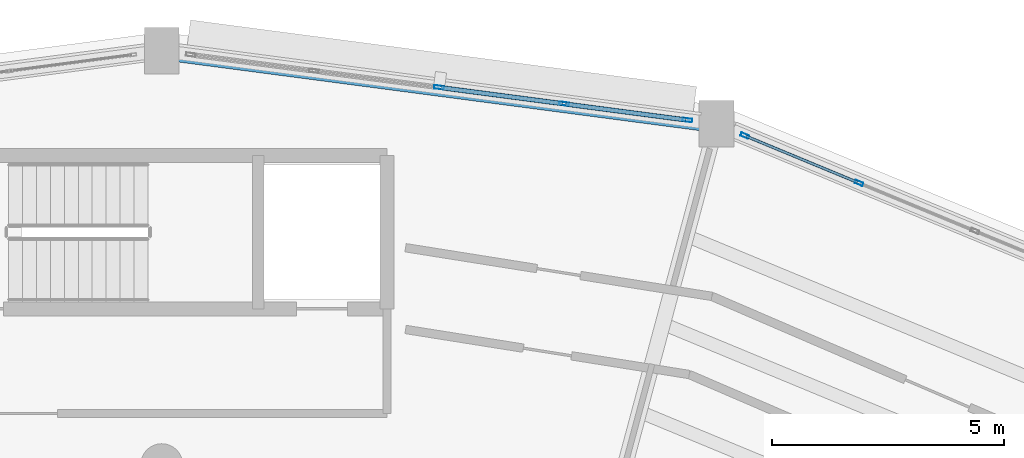
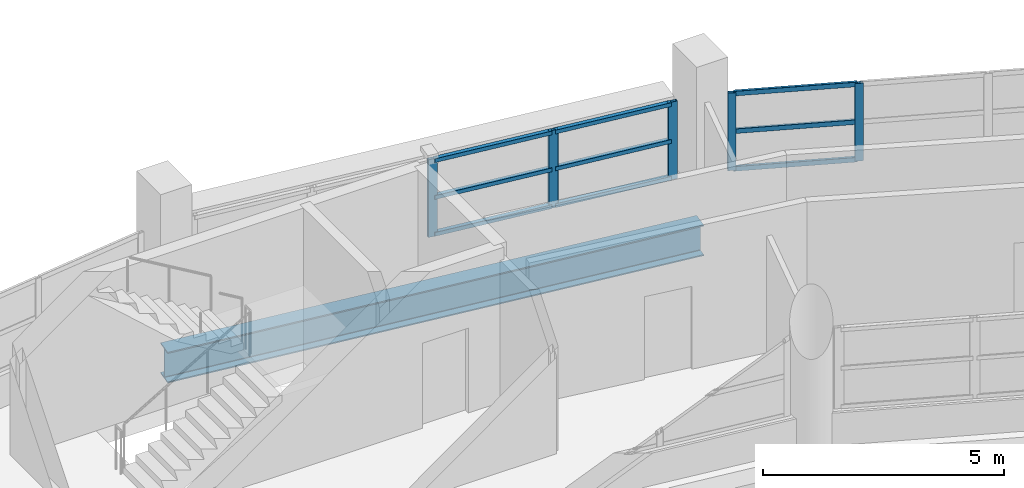
# One storey, part 79 of 108: 14 members, 1 beam, 2 elements without a shape of their own.
"""IFC4 building model written with IfcOpenShell, lengths in metres."""

from ifc_helpers import new_model, si_unit, direction, frame, origin, origin_2d, place, context, subcontext, project, spatial, hollow_rectangle, i_section, extrude, material, layer, layer_set, material_profile, profile_set, type_object, element, aggregate, save


model = new_model("IFC4")

# Units and contexts
model_context = context("Model", 3, precision=1e-05, world=origin(), true_north=direction((0.0, 1.0)))
body_context = subcontext(model_context, "Body", "Model", "MODEL_VIEW")
ifc_project = project(units=[si_unit("LENGTHUNIT", "METRE"), si_unit("AREAUNIT", "SQUARE_METRE"), si_unit("VOLUMEUNIT", "CUBIC_METRE"), si_unit("PLANEANGLEUNIT", "RADIAN"), si_unit("MASSUNIT", "GRAM", prefix="KILO")], contexts=[model_context])

# Site, building, storey
site_placement = place(None, origin())
site = spatial("IfcSite", under=ifc_project, at=site_placement, CompositionType="ELEMENT")
building_placement = place(site_placement, origin())
building = spatial("IfcBuilding", under=site, at=building_placement, Name="Vespera Passage Community Centre", CompositionType="ELEMENT")
storey_placement = place(building_placement, frame((0.0, 0.0, 12.60009765625)))
storey = spatial("IfcBuildingStorey", under=building, at=storey_placement, Name="L03", CompositionType="ELEMENT", Elevation=12.60009765625)

# Beam
ifc_material_1 = material(Name="Steel ASTM A992 Grade 50", Category="steel")
ifc_material_profile_1 = material_profile(ifc_material_1, i_section(OverallWidth=0.382080078125, OverallDepth=0.779296875, WebThickness=0.01806640625, FlangeThickness=0.030029296875, FilletRadius=0.0166015625, at=origin_2d()), Name="W30X191")
ifc_profile_set_1 = profile_set([ifc_material_profile_1], Name="Steel ASTM A992 Grade 50")
beam_type = type_object("IfcBeamType", Name="BM-SP-W30X191E", PredefinedType="SPANDREL", material=ifc_profile_set_1)
beam_placement = place(storey_placement, frame((89.931640625, 110.029296875, -0.789794921875), z_axis=(-0.991445178667, 0.130523782115, 0.0), x_axis=(-0.130523782115, -0.991445178667, 0.0)))
element("IfcBeam", 1, at=beam_placement, inside=storey, type_object=beam_type, Name="V4 L03 Outer Spandrel 5", PredefinedType="SPANDREL", context=body_context, shape_type="SweptSolid", body=[
    extrude(i_section(OverallWidth=0.382080078125, OverallDepth=0.779296875, WebThickness=0.01806640625, FlangeThickness=0.030029296875, FilletRadius=0.0166015625, at=origin_2d()), origin(), (0.0, 0.0, 1.0), 12.03466796875),
])

# Curtain wall, members
ifc_material_2 = material(Name="Anodized aluminium 6063-T6", Category="aluminium")
ifc_layer_1 = layer(ifc_material_2, 0.159912109375)
ifc_layer_set_1 = layer_set([ifc_layer_1], Name="Anodized aluminium 6063-T6")
curtain_wall_type_1 = type_object("IfcCurtainWallType", Name="CW-39E", PredefinedType="NOTDEFINED", material=ifc_layer_set_1)
curtain_wall_1_placement = place(storey_placement, origin())
curtain_wall_1 = element("IfcCurtainWall", 2, at=curtain_wall_1_placement, inside=storey, type_object=curtain_wall_type_1, Name="V4 L03 Outer Ribbon Curtain Wall 4", PredefinedType="NOTDEFINED")
ifc_material_3 = material(Name="Anodized aluminium 6063-T6", Category="aluminium")
ifc_material_profile_2 = material_profile(ifc_material_3, hollow_rectangle(XDim=0.074951171875, YDim=0.179931640625, WallThickness=0.0048828125, InnerFilletRadius=0.00244140625, OuterFilletRadius=0.0048828125, at=origin_2d()), Name="ALU180X75X5")
ifc_profile_set_2 = profile_set([ifc_material_profile_2], Name="Anodized aluminium 6063-T6")
member_type_1 = type_object("IfcMemberType", Name="MB-CWM-180E", PredefinedType="MULLION", material=ifc_profile_set_2)
member_1_placement = place(storey_placement, frame((90.539794921875, 109.77734375, 0.81982421875), z_axis=(0.0, 0.0, 1.0), x_axis=(0.382682936255, 0.923879738007, 0.0)))
member_1 = element("IfcMember", 3, at=member_1_placement, type_object=member_type_1, Name="CW-39E mullion 1", PredefinedType="MULLION", context=body_context, shape_type="SweptSolid", body=[
    extrude(hollow_rectangle(XDim=0.074951171875, YDim=0.179931640625, WallThickness=0.0048828125, InnerFilletRadius=0.00244140625, OuterFilletRadius=0.0048828125, at=origin_2d()), origin(), (0.0, 0.0, 1.0), 1.965576171875),
])
member_2_placement = place(storey_placement, frame((92.998046875, 108.759033203125, 0.81982421875), z_axis=(0.0, 0.0, 1.0), x_axis=(0.382682936255, 0.923879738007, 0.0)))
member_2 = element("IfcMember", 4, at=member_2_placement, type_object=member_type_1, Name="CW-39E mullion 2", PredefinedType="MULLION", context=body_context, shape_type="SweptSolid", body=[
    extrude(hollow_rectangle(XDim=0.074951171875, YDim=0.179931640625, WallThickness=0.0048828125, InnerFilletRadius=0.00244140625, OuterFilletRadius=0.0048828125, at=origin_2d()), origin(), (0.0, 0.0, 1.0), 1.965576171875),
])

ifc_material_4 = material(Name="Anodized aluminium 6063-T6", Category="aluminium")
ifc_layer_2 = layer(ifc_material_4, 0.159912109375)
ifc_layer_set_2 = layer_set([ifc_layer_2], Name="Anodized aluminium 6063-T6")
curtain_wall_type_2 = type_object("IfcCurtainWallType", Name="CW-41E", PredefinedType="NOTDEFINED", material=ifc_layer_set_2)
curtain_wall_2_placement = place(storey_placement, origin())
curtain_wall_2 = element("IfcCurtainWall", 5, at=curtain_wall_2_placement, inside=storey, type_object=curtain_wall_type_2, Name="V4 L03 Outer Ribbon Curtain Wall 5", PredefinedType="NOTDEFINED")
ifc_material_5 = material(Name="Anodized aluminium 6063-T6", Category="aluminium")
ifc_material_profile_3 = material_profile(ifc_material_5, hollow_rectangle(XDim=0.074951171875, YDim=0.2099609375, WallThickness=0.0048828125, InnerFilletRadius=0.00244140625, OuterFilletRadius=0.0048828125, at=origin_2d()), Name="ALU210X75X5")
ifc_profile_set_3 = profile_set([ifc_material_profile_3], Name="Anodized aluminium 6063-T6")
member_type_2 = type_object("IfcMemberType", Name="MB-CWM-210E", PredefinedType="MULLION", material=ifc_profile_set_3)
member_3_placement = place(storey_placement, frame((83.9658203125, 110.814697265625, 0.81982421875), z_axis=(0.0, 0.0, 1.0), x_axis=(0.130530818696, 0.991444252276, 0.0)))
member_3 = element("IfcMember", 6, at=member_3_placement, type_object=member_type_2, Name="CW-41E mullion 3", PredefinedType="MULLION", context=body_context, shape_type="SweptSolid", body=[
    extrude(hollow_rectangle(XDim=0.074951171875, YDim=0.2099609375, WallThickness=0.0048828125, InnerFilletRadius=0.00244140625, OuterFilletRadius=0.0048828125, at=origin_2d()), origin(), (0.0, 0.0, 1.0), 1.965576171875),
])
member_4_placement = place(storey_placement, frame((86.654541015625, 110.460693359375, 0.81982421875), z_axis=(0.0, 0.0, 1.0), x_axis=(0.130530818696, 0.991444252276, 0.0)))
member_4 = element("IfcMember", 7, at=member_4_placement, type_object=member_type_2, Name="CW-41E mullion 4", PredefinedType="MULLION", context=body_context, shape_type="SweptSolid", body=[
    extrude(hollow_rectangle(XDim=0.074951171875, YDim=0.2099609375, WallThickness=0.0048828125, InnerFilletRadius=0.00244140625, OuterFilletRadius=0.0048828125, at=origin_2d()), origin(), (0.0, 0.0, 1.0), 1.965576171875),
])
member_5_placement = place(storey_placement, frame((89.30615234375, 110.111572265625, 0.81982421875), z_axis=(0.0, 0.0, 1.0), x_axis=(0.130530818696, 0.991444252276, 0.0)))
member_5 = element("IfcMember", 8, at=member_5_placement, type_object=member_type_2, Name="CW-41E mullion 5", PredefinedType="MULLION", context=body_context, shape_type="SweptSolid", body=[
    extrude(hollow_rectangle(XDim=0.074951171875, YDim=0.2099609375, WallThickness=0.0048828125, InnerFilletRadius=0.00244140625, OuterFilletRadius=0.0048828125, at=origin_2d()), origin(), (0.0, 0.0, 1.0), 1.965576171875),
])
ifc_material_6 = material(Name="Anodized aluminium 6063-T6", Category="aluminium")
ifc_material_profile_4 = material_profile(ifc_material_6, hollow_rectangle(XDim=0.10009765625, YDim=0.10009765625, WallThickness=0.00390625, InnerFilletRadius=0.001953125, OuterFilletRadius=0.00390625, at=origin_2d()), Name="ALU100X100X4")
ifc_profile_set_4 = profile_set([ifc_material_profile_4], Name="Anodized aluminium 6063-T6")
member_type_3 = type_object("IfcMemberType", Name="MB-CWT-100E", PredefinedType="USERDEFINED", material=ifc_profile_set_4)
member_6_placement = place(storey_placement, frame((84.0029296875, 110.809814453125, 0.869873046875), z_axis=(0.991443263023, -0.130538332324, 0.0), x_axis=(0.130538332324, 0.991443263023, 0.0)))
member_6 = element("IfcMember", 9, at=member_6_placement, type_object=member_type_3, Name="CW-41E transom 3.1", ObjectType="TRANSOM", PredefinedType="USERDEFINED", context=body_context, shape_type="SweptSolid", body=[
    extrude(hollow_rectangle(XDim=0.10009765625, YDim=0.10009765625, WallThickness=0.00390625, InnerFilletRadius=0.001953125, OuterFilletRadius=0.00390625, at=origin_2d()), origin(), (0.0, 0.0, 1.0), 2.636962890625),
])
member_7_placement = place(storey_placement, frame((84.0029296875, 110.809814453125, 1.802734375), z_axis=(0.991443263023, -0.130538332324, 0.0), x_axis=(0.130538332324, 0.991443263023, 0.0)))
member_7 = element("IfcMember", 10, at=member_7_placement, type_object=member_type_3, Name="CW-41E transom 3.2", ObjectType="TRANSOM", PredefinedType="USERDEFINED", context=body_context, shape_type="SweptSolid", body=[
    extrude(hollow_rectangle(XDim=0.10009765625, YDim=0.10009765625, WallThickness=0.00390625, InnerFilletRadius=0.001953125, OuterFilletRadius=0.00390625, at=origin_2d()), origin(), (0.0, 0.0, 1.0), 2.636962890625),
])
member_8_placement = place(storey_placement, frame((84.0029296875, 110.809814453125, 2.735595703125), z_axis=(0.991443263023, -0.130538332324, 0.0), x_axis=(0.130538332324, 0.991443263023, 0.0)))
member_8 = element("IfcMember", 11, at=member_8_placement, type_object=member_type_3, Name="CW-41E transom 3.3", ObjectType="TRANSOM", PredefinedType="USERDEFINED", context=body_context, shape_type="SweptSolid", body=[
    extrude(hollow_rectangle(XDim=0.10009765625, YDim=0.10009765625, WallThickness=0.00390625, InnerFilletRadius=0.001953125, OuterFilletRadius=0.00390625, at=origin_2d()), origin(), (0.0, 0.0, 1.0), 2.636962890625),
])
member_9_placement = place(storey_placement, frame((86.69189453125, 110.455810546875, 0.869873046875), z_axis=(0.991441503566, -0.130551694767, 0.0), x_axis=(0.130551694767, 0.991441503566, 0.0)))
member_9 = element("IfcMember", 12, at=member_9_placement, type_object=member_type_3, Name="CW-41E transom 4.1", ObjectType="TRANSOM", PredefinedType="USERDEFINED", context=body_context, shape_type="SweptSolid", body=[
    extrude(hollow_rectangle(XDim=0.10009765625, YDim=0.10009765625, WallThickness=0.00390625, InnerFilletRadius=0.001953125, OuterFilletRadius=0.00390625, at=origin_2d()), origin(), (0.0, 0.0, 1.0), 2.599365234375),
])
member_10_placement = place(storey_placement, frame((86.69189453125, 110.455810546875, 1.802734375), z_axis=(0.991441503566, -0.130551694767, 0.0), x_axis=(0.130551694767, 0.991441503566, 0.0)))
member_10 = element("IfcMember", 13, at=member_10_placement, type_object=member_type_3, Name="CW-41E transom 4.2", ObjectType="TRANSOM", PredefinedType="USERDEFINED", context=body_context, shape_type="SweptSolid", body=[
    extrude(hollow_rectangle(XDim=0.10009765625, YDim=0.10009765625, WallThickness=0.00390625, InnerFilletRadius=0.001953125, OuterFilletRadius=0.00390625, at=origin_2d()), origin(), (0.0, 0.0, 1.0), 2.599365234375),
])
member_11_placement = place(storey_placement, frame((86.69189453125, 110.455810546875, 2.735595703125), z_axis=(0.991441503566, -0.130551694767, 0.0), x_axis=(0.130551694767, 0.991441503566, 0.0)))
member_11 = element("IfcMember", 14, at=member_11_placement, type_object=member_type_3, Name="CW-41E transom 4.3", ObjectType="TRANSOM", PredefinedType="USERDEFINED", context=body_context, shape_type="SweptSolid", body=[
    extrude(hollow_rectangle(XDim=0.10009765625, YDim=0.10009765625, WallThickness=0.00390625, InnerFilletRadius=0.001953125, OuterFilletRadius=0.00390625, at=origin_2d()), origin(), (0.0, 0.0, 1.0), 2.599365234375),
])
aggregate(curtain_wall_2, [member_3, member_4, member_5, member_6, member_7, member_8, member_9, member_10, member_11])

# Member
ifc_material_7 = material(Name="Anodized aluminium 6063-T6", Category="aluminium")
ifc_material_profile_5 = material_profile(ifc_material_7, hollow_rectangle(XDim=0.06005859375, YDim=0.1201171875, WallThickness=0.00390625, InnerFilletRadius=0.001953125, OuterFilletRadius=0.00390625, at=origin_2d()), Name="ALU120X60X4")
ifc_profile_set_5 = profile_set([ifc_material_profile_5], Name="Anodized aluminium 6063-T6")
member_type_4 = type_object("IfcMemberType", Name="MB-CWT-120E", PredefinedType="USERDEFINED", material=ifc_profile_set_5)
member_12_placement = place(storey_placement, frame((90.574462890625, 109.762939453125, 0.849853515625), z_axis=(0.923882193286, -0.382677008624, 0.0), x_axis=(0.382677008624, 0.923882193286, 0.0)))
member_12 = element("IfcMember", 15, at=member_12_placement, type_object=member_type_4, Name="CW-39E transom 1.1", ObjectType="TRANSOM", PredefinedType="USERDEFINED", context=body_context, shape_type="SweptSolid", body=[
    extrude(hollow_rectangle(XDim=0.06005859375, YDim=0.1201171875, WallThickness=0.00390625, InnerFilletRadius=0.001953125, OuterFilletRadius=0.00390625, at=origin_2d()), origin(), (0.0, 0.0, 1.0), 2.585693359375),
])

member_13_placement = place(storey_placement, frame((90.574462890625, 109.762939453125, 1.802734375), z_axis=(0.923882193286, -0.382677008624, 0.0), x_axis=(0.382677008624, 0.923882193286, 0.0)))
member_13 = element("IfcMember", 16, at=member_13_placement, type_object=member_type_4, Name="CW-39E transom 1.2", ObjectType="TRANSOM", PredefinedType="USERDEFINED", context=body_context, shape_type="SweptSolid", body=[
    extrude(hollow_rectangle(XDim=0.06005859375, YDim=0.1201171875, WallThickness=0.00390625, InnerFilletRadius=0.001953125, OuterFilletRadius=0.00390625, at=origin_2d()), origin(), (0.0, 0.0, 1.0), 2.585693359375),
])

member_14_placement = place(storey_placement, frame((90.574462890625, 109.762939453125, 2.755615234375), z_axis=(0.923882193286, -0.382677008624, 0.0), x_axis=(0.382677008624, 0.923882193286, 0.0)))
member_14 = element("IfcMember", 17, at=member_14_placement, type_object=member_type_4, Name="CW-39E transom 1.3", ObjectType="TRANSOM", PredefinedType="USERDEFINED", context=body_context, shape_type="SweptSolid", body=[
    extrude(hollow_rectangle(XDim=0.06005859375, YDim=0.1201171875, WallThickness=0.00390625, InnerFilletRadius=0.001953125, OuterFilletRadius=0.00390625, at=origin_2d()), origin(), (0.0, 0.0, 1.0), 2.585693359375),
])

aggregate(curtain_wall_1, [member_1, member_2, member_12, member_13, member_14])

save(model, "model.ifc")
